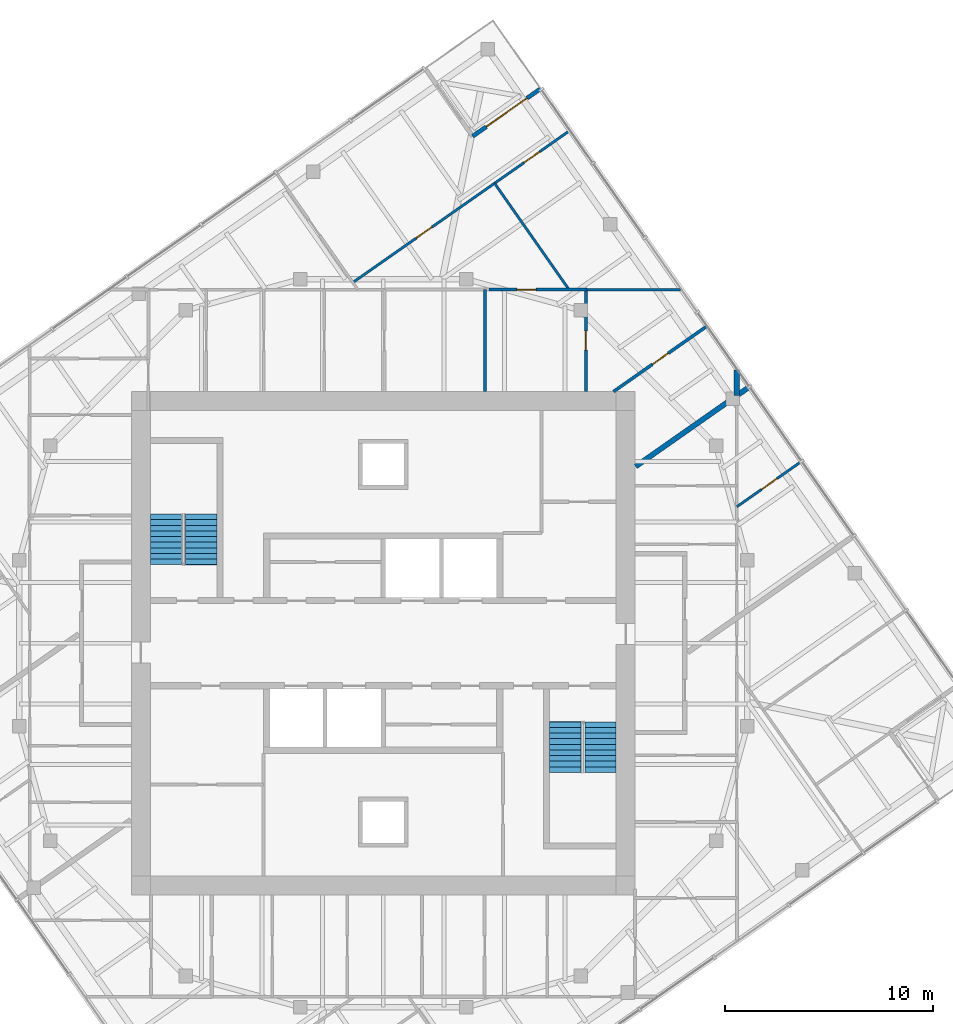
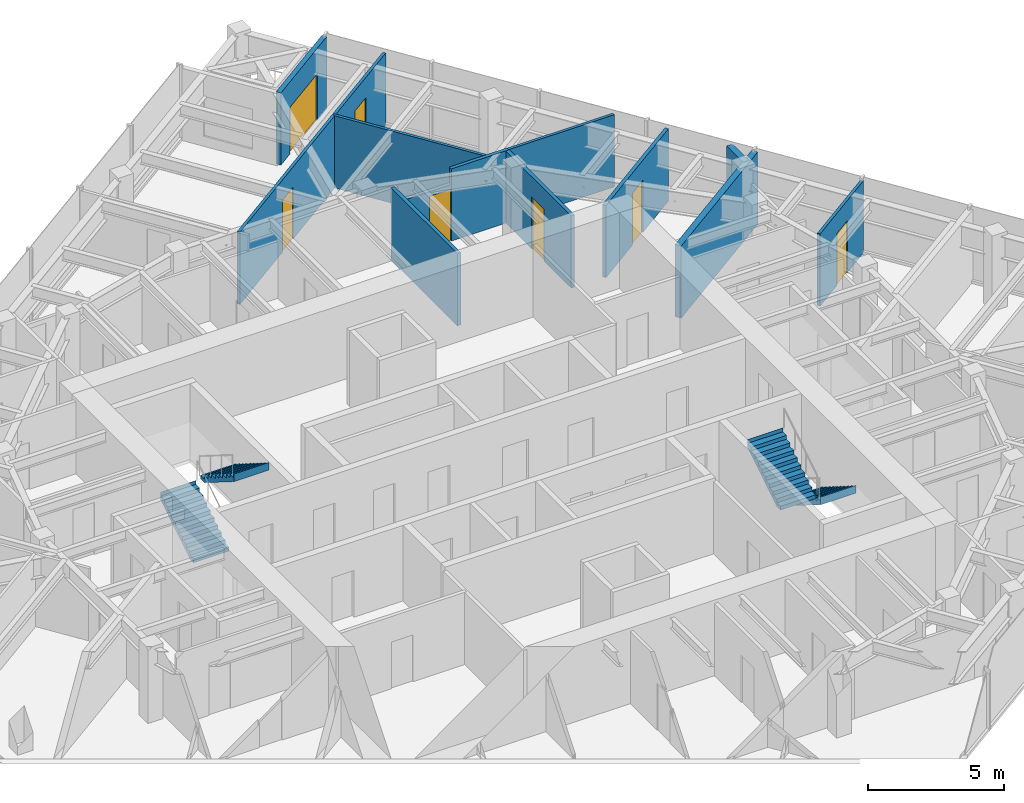
# One storey, part 11 of 12: 12 walls, 7 doors, 4 stair flights, 7 openings, 2 elements without a shape of their own.
"""IFC4 building model written with IfcOpenShell, lengths in metres."""

from ifc_helpers import new_model, si_unit, direction, frame, frame_2d, origin, place, context, subcontext, project, spatial, polyline, rectangle, outline, extrude, material, layer, layer_set, type_object, element, fill, aggregate, save


model = new_model("IFC4")

# Units and contexts
model_context = context("Model", 3, precision=1e-05, world=origin(), true_north=direction((0.0, 1.0)))
body_context = subcontext(model_context, "Body", "Model", "MODEL_VIEW")
ifc_project = project(units=[si_unit("LENGTHUNIT", "METRE"), si_unit("AREAUNIT", "SQUARE_METRE"), si_unit("VOLUMEUNIT", "CUBIC_METRE"), si_unit("PLANEANGLEUNIT", "RADIAN"), si_unit("MASSUNIT", "GRAM", prefix="KILO")], contexts=[model_context])

# Site, building, storey
site_placement = place(None, origin())
site = spatial("IfcSite", under=ifc_project, at=site_placement, CompositionType="ELEMENT")
building_placement = place(site_placement, origin())
building = spatial("IfcBuilding", under=site, at=building_placement, Name="Torsade Residences", CompositionType="ELEMENT")
storey_placement = place(building_placement, frame((0.0, 0.0, 240.39990234375)))
storey = spatial("IfcBuildingStorey", under=building, at=storey_placement, Name="L66", CompositionType="ELEMENT", Elevation=240.39990234375)

# Wall, opening, door
ifc_material_1 = material(Name="Plasterboard on steel stud", Category="steel")
ifc_layer_1 = layer(ifc_material_1, 0.1201171875)
ifc_layer_set_1 = layer_set([ifc_layer_1], Name="Plasterboard on steel stud")
wall_type_1 = type_object("IfcWallType", Name="PARTITION 120", PredefinedType="PARTITIONING", material=ifc_layer_set_1)
wall_1_placement = place(storey_placement, frame((57.0, 36.5625, 0.0), z_axis=(0.0, 0.0, 1.0), x_axis=(0.819140645834, 0.573592714688, 0.0)))
wall_1 = element("IfcWall", 1, at=wall_1_placement, inside=storey, type_object=wall_type_1, Name="Partition L66", PredefinedType="PARTITIONING", context=body_context, shape_type="SweptSolid", body=[
    extrude(rectangle(XDim=3.770263671875, YDim=0.1201171875, at=frame_2d((1.88525390625, 0.0))), origin(), (0.0, 0.0, 1.0), 3.25),
])
opening_1_placement = place(wall_1_placement, frame((1.445068359375, 0.0, 0.0)))
opening_1 = element("IfcOpeningElement", 2, at=opening_1_placement, cuts=wall_1, Name="Opening D02", PredefinedType="OPENING", context=body_context, shape_type="SweptSolid", body=[
    extrude(rectangle(XDim=0.919921875, YDim=2.340087890625, at=frame_2d((0.4599609375, 1.169921875))), frame((0.0, 0.070068359375, 0.0), z_axis=(0.0, -1.0, 0.0), x_axis=(1.0, 0.0, 0.0)), (0.0, 0.0, 1.0), 0.14013671875),
])
ifc_material_2 = material(Name="Hollow-core timber door", Category="wood")
door_type_1 = type_object("IfcDoorType", Name="INTERNAL DOOR 920x2340", OperationType="NOTDEFINED", PredefinedType="DOOR", material=ifc_material_2)
door_1_placement = place(opening_1_placement, origin())
door_1 = element("IfcDoor", 3, at=door_1_placement, inside=storey, type_object=door_type_1, Name="Door Living room to Bedroom 1", OperationType="SINGLE_SWING_LEFT", OverallHeight=2.340087890625, OverallWidth=0.919921875, PredefinedType="DOOR", context=body_context, shape_type="SweptSolid", body=[
    extrude(rectangle(XDim=0.919921875, YDim=2.340087890625, at=frame_2d((0.4599609375, 1.169921875))), frame((0.0, 0.02490234375, 0.0), z_axis=(0.0, -1.0, 0.0), x_axis=(1.0, 0.0, 0.0)), (0.0, 0.0, 1.0), 0.050048828125),
])
fill(opening_1, door_1)

# Wall
wall_2_placement = place(storey_placement, frame((49.7919921875, 47.0, 0.0), z_axis=(0.0, 0.0, 1.0), x_axis=(1.0, 0.0, 0.0)))
element("IfcWall", 4, at=wall_2_placement, inside=storey, type_object=wall_type_1, Name="Partition L66", PredefinedType="PARTITIONING", context=body_context, shape_type="SweptSolid", body=[
    extrude(rectangle(XDim=4.502197265625, YDim=0.1201171875, at=frame_2d((2.2509765625, 0.0))), origin(), (0.0, 0.0, 1.0), 3.25),
])

# Wall, openings, doors
wall_3_placement = place(storey_placement, frame((48.949462890625, 54.63330078125, 0.0), z_axis=(0.0, 0.0, 1.0), x_axis=(-0.819155207289, -0.573571919092, 0.0)))
wall_3 = element("IfcWall", 5, at=wall_3_placement, inside=storey, type_object=wall_type_1, Name="Partition L66", PredefinedType="PARTITIONING", context=body_context, shape_type="SweptSolid", body=[
    extrude(rectangle(XDim=12.7099609375, YDim=0.1201171875, at=frame_2d((6.35498046875, 0.0))), origin(), (0.0, 0.0, 1.0), 3.25),
])
opening_2_placement = place(wall_3_placement, frame((8.066162109375, 0.0, 0.0)))
opening_2 = element("IfcOpeningElement", 6, at=opening_2_placement, cuts=wall_3, Name="Opening D02", PredefinedType="OPENING", context=body_context, shape_type="SweptSolid", body=[
    extrude(rectangle(XDim=0.919921875, YDim=2.340087890625, at=frame_2d((0.4599609375, 1.169921875))), frame((0.0, 0.070068359375, 0.0), z_axis=(0.0, -1.0, 0.0), x_axis=(1.0, 0.0, 0.0)), (0.0, 0.0, 1.0), 0.14013671875),
])
opening_3_placement = place(wall_3_placement, frame((1.7412109375, 0.0, 0.0)))
opening_3 = element("IfcOpeningElement", 7, at=opening_3_placement, cuts=wall_3, Name="Opening D02", PredefinedType="OPENING", context=body_context, shape_type="SweptSolid", body=[
    extrude(rectangle(XDim=0.919921875, YDim=2.340087890625, at=frame_2d((0.4599609375, 1.169921875))), frame((0.0, 0.070068359375, 0.0), z_axis=(0.0, -1.0, 0.0), x_axis=(1.0, 0.0, 0.0)), (0.0, 0.0, 1.0), 0.14013671875),
])
door_2_placement = place(opening_2_placement, origin())
door_2 = element("IfcDoor", 8, at=door_2_placement, inside=storey, type_object=door_type_1, Name="Door Living room to Walk-in robe", OperationType="SINGLE_SWING_LEFT", OverallHeight=2.340087890625, OverallWidth=0.919921875, PredefinedType="DOOR", context=body_context, shape_type="SweptSolid", body=[
    extrude(rectangle(XDim=0.919921875, YDim=2.340087890625, at=frame_2d((0.4599609375, 1.169921875))), frame((0.0, 0.02490234375, 0.0), z_axis=(0.0, -1.0, 0.0), x_axis=(1.0, 0.0, 0.0)), (0.0, 0.0, 1.0), 0.050048828125),
])
fill(opening_2, door_2)
door_3_placement = place(opening_3_placement, origin())
door_3 = element("IfcDoor", 9, at=door_3_placement, inside=storey, type_object=door_type_1, Name="Door Living room to Bedroom 4", OperationType="SINGLE_SWING_RIGHT", OverallHeight=2.340087890625, OverallWidth=0.919921875, PredefinedType="DOOR", context=body_context, shape_type="SweptSolid", body=[
    extrude(rectangle(XDim=0.919921875, YDim=2.340087890625, at=frame_2d((0.4599609375, 1.169921875))), frame((0.0, 0.02490234375, 0.0), z_axis=(0.0, -1.0, 0.0), x_axis=(1.0, 0.0, 0.0)), (0.0, 0.0, 1.0), 0.050048828125),
])
fill(opening_3, door_3)

# Walls
wall_4_placement = place(storey_placement, frame((48.932373046875, 47.0, 0.0), z_axis=(0.0, 0.0, 1.0), x_axis=(-0.573569946952, 0.819156588177, 0.0)))
element("IfcWall", 10, at=wall_4_placement, inside=storey, type_object=wall_type_1, Name="Partition L66", PredefinedType="PARTITIONING", context=body_context, shape_type="SweptSolid", body=[
    extrude(rectangle(XDim=6.242919921875, YDim=0.1201171875, at=frame_2d((3.12158203125, 0.0))), origin(), (0.0, 0.0, 1.0), 3.25),
])
ifc_material_3 = material(Name="Masonry-lined stud party wall", Category="masonry")
ifc_layer_2 = layer(ifc_material_3, 0.25)
ifc_layer_set_2 = layer_set([ifc_layer_2], Name="Masonry-lined stud party wall")
wall_type_2 = type_object("IfcWallType", Name="PARTY WALL 250", PredefinedType="PARTITIONING", material=ifc_layer_set_2)
wall_5_placement = place(storey_placement, frame((57.61181640625, 42.331787109375, 0.0), z_axis=(0.0, 0.0, 1.0), x_axis=(-0.819161528122, -0.573562891796, 0.0)))
element("IfcWall", 11, at=wall_5_placement, inside=storey, type_object=wall_type_2, Name="Party wall L66", PredefinedType="PARTITIONING", context=body_context, shape_type="SweptSolid", body=[
    extrude(rectangle(XDim=6.68115234375, YDim=0.25, at=frame_2d((3.340576171875, 0.0))), origin(), (0.0, 0.0, 1.0), 3.25),
])
wall_6_placement = place(storey_placement, frame((57.0, 41.919189453125, 0.0), z_axis=(0.0, 0.0, 1.0), x_axis=(0.0, 1.0, 0.0)))
element("IfcWall", 12, at=wall_6_placement, inside=storey, type_object=wall_type_2, Name="Party wall L66", PredefinedType="PARTITIONING", context=body_context, shape_type="SweptSolid", body=[
    extrude(rectangle(XDim=1.216552734375, YDim=0.25, at=frame_2d((0.6083984375, 0.0))), origin(), (0.0, 0.0, 1.0), 3.25),
])

# Wall, opening, door
ifc_material_4 = material(Name="Reinforced blockwork", Category="masonry")
ifc_layer_3 = layer(ifc_material_4, 0.14990234375)
ifc_layer_set_3 = layer_set([ifc_layer_3], Name="Reinforced blockwork")
wall_type_3 = type_object("IfcWallType", Name="SERVICE ROOM WALL 150", PredefinedType="SOLIDWALL", material=ifc_layer_set_3)
wall_7_placement = place(storey_placement, frame((45.083251953125, 47.0, 0.0), z_axis=(0.0, 0.0, 1.0), x_axis=(1.0, 0.0, 0.0)))
wall_7 = element("IfcWall", 13, at=wall_7_placement, inside=storey, type_object=wall_type_3, Name="Service room wall L66", PredefinedType="SOLIDWALL", context=body_context, shape_type="SweptSolid", body=[
    extrude(rectangle(XDim=2.266845703125, YDim=0.14990234375, at=frame_2d((1.13330078125, 0.0))), origin(), (0.0, 0.0, 1.0), 2.550048828125),
])
opening_4_placement = place(wall_7_placement, frame((1.346923828125, 0.0, 0.0)))
opening_4 = element("IfcOpeningElement", 14, at=opening_4_placement, cuts=wall_7, Name="Opening D02", PredefinedType="OPENING", context=body_context, shape_type="SweptSolid", body=[
    extrude(rectangle(XDim=0.919921875, YDim=2.340087890625, at=frame_2d((0.4599609375, 1.169921875))), frame((0.0, 0.0849609375, 0.0), z_axis=(0.0, -1.0, 0.0), x_axis=(1.0, 0.0, 0.0)), (0.0, 0.0, 1.0), 0.169921875),
])
door_4_placement = place(opening_4_placement, origin())
door_4 = element("IfcDoor", 15, at=door_4_placement, inside=storey, type_object=door_type_1, Name="Door Walk-in robe to Linen store 5", OperationType="SINGLE_SWING_RIGHT", OverallHeight=2.340087890625, OverallWidth=0.919921875, PredefinedType="DOOR", context=body_context, shape_type="SweptSolid", body=[
    extrude(rectangle(XDim=0.919921875, YDim=2.340087890625, at=frame_2d((0.4599609375, 1.169921875))), frame((0.0, 0.02490234375, 0.0), z_axis=(0.0, -1.0, 0.0), x_axis=(1.0, 0.0, 0.0)), (0.0, 0.0, 1.0), 0.050048828125),
])
fill(opening_4, door_4)

# Walls
wall_8_placement = place(storey_placement, frame((47.35009765625, 47.0, 0.0), z_axis=(0.0, 0.0, 1.0), x_axis=(1.0, 0.0, 0.0)))
element("IfcWall", 16, at=wall_8_placement, inside=storey, type_object=wall_type_3, Name="Service room wall L66", PredefinedType="SOLIDWALL", context=body_context, shape_type="SweptSolid", body=[
    extrude(rectangle(XDim=2.44189453125, YDim=0.14990234375, at=frame_2d((1.220947265625, 0.0))), origin(), (0.0, 0.0, 1.0), 3.25),
])
wall_9_placement = place(storey_placement, frame((44.898193359375, 47.0, 0.0), z_axis=(0.0, 0.0, 1.0), x_axis=(0.0, -1.0, 0.0)))
element("IfcWall", 17, at=wall_9_placement, inside=storey, type_object=wall_type_3, Name="Service room wall L66", PredefinedType="SOLIDWALL", context=body_context, shape_type="SweptSolid", body=[
    extrude(rectangle(XDim=4.89990234375, YDim=0.14990234375, at=frame_2d((2.449951171875, 0.0))), origin(), (0.0, 0.0, 1.0), 3.25),
])

# Wall, opening, door
wall_10_placement = place(storey_placement, frame((55.53662109375, 45.225830078125, 0.0), z_axis=(0.0, 0.0, 1.0), x_axis=(-0.819158250207, -0.573567573279, 0.0)))
wall_10 = element("IfcWall", 18, at=wall_10_placement, inside=storey, type_object=wall_type_3, Name="Service room wall L66", PredefinedType="SOLIDWALL", context=body_context, shape_type="SweptSolid", body=[
    extrude(rectangle(XDim=5.44970703125, YDim=0.14990234375, at=frame_2d((2.724853515625, 0.0))), origin(), (0.0, 0.0, 1.0), 3.25),
])
opening_5_placement = place(wall_10_placement, frame((2.244873046875, 0.0, 0.0)))
opening_5 = element("IfcOpeningElement", 19, at=opening_5_placement, cuts=wall_10, Name="Opening D02", PredefinedType="OPENING", context=body_context, shape_type="SweptSolid", body=[
    extrude(rectangle(XDim=0.919921875, YDim=2.340087890625, at=frame_2d((0.4599609375, 1.169921875))), frame((0.0, 0.0849609375, 0.0), z_axis=(0.0, -1.0, 0.0), x_axis=(1.0, 0.0, 0.0)), (0.0, 0.0, 1.0), 0.169921875),
])
door_5_placement = place(opening_5_placement, origin())
door_5 = element("IfcDoor", 20, at=door_5_placement, inside=storey, type_object=door_type_1, Name="Door Study to Linen store 3", OperationType="SINGLE_SWING_RIGHT", OverallHeight=2.340087890625, OverallWidth=0.919921875, PredefinedType="DOOR", context=body_context, shape_type="SweptSolid", body=[
    extrude(rectangle(XDim=0.919921875, YDim=2.340087890625, at=frame_2d((0.4599609375, 1.169921875))), frame((0.0, 0.02490234375, 0.0), z_axis=(0.0, -1.0, 0.0), x_axis=(1.0, 0.0, 0.0)), (0.0, 0.0, 1.0), 0.050048828125),
])
fill(opening_5, door_5)

wall_11_placement = place(storey_placement, frame((49.7421875, 42.10009765625, 0.0), z_axis=(0.0, 0.0, 1.0), x_axis=(0.0, 1.0, 0.0)))
wall_11 = element("IfcWall", 21, at=wall_11_placement, inside=storey, type_object=wall_type_3, Name="Service room wall L66", PredefinedType="SOLIDWALL", context=body_context, shape_type="SweptSolid", body=[
    extrude(rectangle(XDim=4.89990234375, YDim=0.14990234375, at=frame_2d((2.449951171875, 0.0))), origin(), (0.0, 0.0, 1.0), 3.25),
])
opening_6_placement = place(wall_11_placement, frame((1.989990234375, 0.0, 0.0)))
opening_6 = element("IfcOpeningElement", 22, at=opening_6_placement, cuts=wall_11, Name="Opening D02", PredefinedType="OPENING", context=body_context, shape_type="SweptSolid", body=[
    extrude(rectangle(XDim=0.919921875, YDim=2.340087890625, at=frame_2d((0.4599609375, 1.169921875))), frame((0.0, 0.0849609375, 0.0), z_axis=(0.0, -1.0, 0.0), x_axis=(1.0, 0.0, 0.0)), (0.0, 0.0, 1.0), 0.169921875),
])
door_6_placement = place(opening_6_placement, origin())
door_6 = element("IfcDoor", 23, at=door_6_placement, inside=storey, type_object=door_type_1, Name="Door Linen store 5 to Study", OperationType="SINGLE_SWING_RIGHT", OverallHeight=2.340087890625, OverallWidth=0.919921875, PredefinedType="DOOR", context=body_context, shape_type="SweptSolid", body=[
    extrude(rectangle(XDim=0.919921875, YDim=2.340087890625, at=frame_2d((0.4599609375, 1.169921875))), frame((0.0, 0.02490234375, 0.0), z_axis=(0.0, -1.0, 0.0), x_axis=(1.0, 0.0, 0.0)), (0.0, 0.0, 1.0), 0.050048828125),
])
fill(opening_6, door_6)

ifc_material_5 = material(Name="Stone-faced precast concrete 40 MPa panel", Category="masonry")
ifc_layer_4 = layer(ifc_material_5, 0.199951171875)
ifc_layer_set_4 = layer_set([ifc_layer_4], Name="Stone-faced precast concrete 40 MPa panel")
wall_type_4 = type_object("IfcWallType", Name="TERRACE WALL 200", PredefinedType="SOLIDWALL", material=ifc_layer_set_4)
wall_12_placement = place(storey_placement, frame((47.57421875, 56.6669921875, 0.0), z_axis=(0.0, 0.0, 1.0), x_axis=(-0.819165963305, -0.573556557423, 0.0)))
wall_12 = element("IfcWall", 24, at=wall_12_placement, inside=storey, type_object=wall_type_4, Name="Terrace wall L66 5", PredefinedType="SOLIDWALL", context=body_context, shape_type="SweptSolid", body=[
    extrude(rectangle(XDim=4.0, YDim=0.199951171875, at=frame_2d((2.0, 0.0))), origin(), (0.0, 0.0, 1.0), 3.25),
])
opening_7_placement = place(wall_12_placement, frame((0.800048828125, 0.0, 0.0)))
opening_7 = element("IfcOpeningElement", 25, at=opening_7_placement, cuts=wall_12, Name="Opening D10A", PredefinedType="OPENING", context=body_context, shape_type="SweptSolid", body=[
    extrude(rectangle(XDim=2.39990234375, YDim=2.10009765625, at=frame_2d((1.199951171875, 1.050048828125))), frame((0.0, 0.10986328125, 0.0), z_axis=(0.0, -1.0, 0.0), x_axis=(1.0, 0.0, 0.0)), (0.0, 0.0, 1.0), 0.219970703125),
])
ifc_material_6 = material(Name="Aluminium-framed glass door", Category="aluminium")
door_type_2 = type_object("IfcDoorType", Name="TERRACE SLIDING DOOR 2400x2100", OperationType="SLIDING_TO_LEFT", PredefinedType="DOOR", material=ifc_material_6)
door_7_placement = place(opening_7_placement, origin())
door_7 = element("IfcDoor", 26, at=door_7_placement, inside=storey, type_object=door_type_2, Name="Terrace door L66 5", OperationType="SLIDING_TO_LEFT", OverallHeight=2.10009765625, OverallWidth=2.39990234375, PredefinedType="DOOR", context=body_context, shape_type="SweptSolid", body=[
    extrude(rectangle(XDim=2.39990234375, YDim=2.10009765625, at=frame_2d((1.199951171875, 1.050048828125))), frame((0.0, 0.02490234375, 0.0), z_axis=(0.0, -1.0, 0.0), x_axis=(1.0, 0.0, 0.0)), (0.0, 0.0, 1.0), 0.050048828125),
])
fill(opening_7, door_7)

# Stair, stair flights
ifc_material_7 = material(Name="Precast concrete 40 MPa", Category="concrete")
stair_type = type_object("IfcStairType", Name="HALF-TURN FIRE STAIR 1500x3400", PredefinedType="HALF_TURN_STAIR", material=ifc_material_7)
stair_1_placement = place(storey_placement, origin())
stair_1 = element("IfcStair", 27, at=stair_1_placement, inside=storey, type_object=stair_type, Name="Stair ST1 L66", PredefinedType="HALF_TURN_STAIR")
ifc_material_8 = material(Name="Precast concrete 40 MPa", Category="concrete")
stair_flight_type = type_object("IfcStairFlightType", Name="PRECAST STAIR FLIGHT 1500x1700", PredefinedType="STRAIGHT", material=ifc_material_8)
stair_flight_1_placement = place(storey_placement, frame((29.550048828125, 33.780029296875, 0.0), z_axis=(0.0, 0.0, 1.0), x_axis=(0.0, 1.0, 0.0)))
stair_flight_1 = element("IfcStairFlight", 28, at=stair_flight_1_placement, type_object=stair_flight_type, Name="ST1 flight 1", NumberOfRisers=10, NumberOfTreads=9, PredefinedType="STRAIGHT", RiserHeight=0.17, TreadLength=0.27, context=body_context, shape_type="SweptSolid", body=[
    extrude(outline(polyline([(0.0, 0.0), (0.0, 0.169921875), (0.27001953125, 0.169921875), (0.27001953125, 0.340087890625), (0.5400390625, 0.340087890625), (0.5400390625, 0.510009765625), (0.81005859375, 0.510009765625), (0.81005859375, 0.679931640625), (1.080078125, 0.679931640625), (1.080078125, 0.85009765625), (1.35009765625, 0.85009765625), (1.35009765625, 1.02001953125), (1.6201171875, 1.02001953125), (1.6201171875, 1.18994140625), (1.889892578125, 1.18994140625), (1.889892578125, 1.360107421875), (2.159912109375, 1.360107421875), (2.159912109375, 1.530029296875), (2.429931640625, 1.530029296875), (2.429931640625, 1.699951171875), (2.43994140625, 1.699951171875), (2.43994140625, 1.352783203125), (2.429931640625, 1.352783203125), (0.28125, 0.0), (0.0, 0.0)])), frame((0.0, 0.75, 0.0), z_axis=(0.0, -1.0, 0.0), x_axis=(1.0, 0.0, 0.0)), (0.0, 0.0, 1.0), 1.5),
])
stair_flight_2_placement = place(storey_placement, frame((31.25, 36.2099609375, 1.7001953125), z_axis=(0.0, 0.0, 1.0), x_axis=(0.0, -1.0, 0.0)))
stair_flight_2 = element("IfcStairFlight", 29, at=stair_flight_2_placement, type_object=stair_flight_type, Name="ST1 flight 2", NumberOfRisers=10, NumberOfTreads=9, PredefinedType="STRAIGHT", RiserHeight=0.17, TreadLength=0.27, context=body_context, shape_type="SweptSolid", body=[
    extrude(outline(polyline([(0.0, 0.0), (0.0, 0.169921875), (0.27001953125, 0.169921875), (0.27001953125, 0.340087890625), (0.5400390625, 0.340087890625), (0.5400390625, 0.510009765625), (0.81005859375, 0.510009765625), (0.81005859375, 0.679931640625), (1.080078125, 0.679931640625), (1.080078125, 0.85009765625), (1.35009765625, 0.85009765625), (1.35009765625, 1.02001953125), (1.6201171875, 1.02001953125), (1.6201171875, 1.18994140625), (1.889892578125, 1.18994140625), (1.889892578125, 1.360107421875), (2.159912109375, 1.360107421875), (2.159912109375, 1.530029296875), (2.429931640625, 1.530029296875), (2.429931640625, 1.699951171875), (2.43994140625, 1.699951171875), (2.43994140625, 1.352783203125), (2.429931640625, 1.352783203125), (0.28125, 0.0), (0.0, 0.0)])), frame((0.0, 0.75, 0.0), z_axis=(0.0, -1.0, 0.0), x_axis=(1.0, 0.0, 0.0)), (0.0, 0.0, 1.0), 1.5),
])
aggregate(stair_1, [stair_flight_1, stair_flight_2])

stair_2_placement = place(storey_placement, origin())
stair_2 = element("IfcStair", 30, at=stair_2_placement, inside=storey, type_object=stair_type, Name="Stair ST2 L66", PredefinedType="HALF_TURN_STAIR")
stair_flight_3_placement = place(storey_placement, frame((50.449951171875, 26.219970703125, 0.0), z_axis=(0.0, 0.0, 1.0), x_axis=(0.0, -1.0, 0.0)))
stair_flight_3 = element("IfcStairFlight", 31, at=stair_flight_3_placement, type_object=stair_flight_type, Name="ST2 flight 1", NumberOfRisers=10, NumberOfTreads=9, PredefinedType="STRAIGHT", RiserHeight=0.17, TreadLength=0.27, context=body_context, shape_type="SweptSolid", body=[
    extrude(outline(polyline([(0.0, 0.0), (0.0, 0.169921875), (0.27001953125, 0.169921875), (0.27001953125, 0.340087890625), (0.5400390625, 0.340087890625), (0.5400390625, 0.510009765625), (0.81005859375, 0.510009765625), (0.81005859375, 0.679931640625), (1.080078125, 0.679931640625), (1.080078125, 0.85009765625), (1.35009765625, 0.85009765625), (1.35009765625, 1.02001953125), (1.6201171875, 1.02001953125), (1.6201171875, 1.18994140625), (1.889892578125, 1.18994140625), (1.889892578125, 1.360107421875), (2.159912109375, 1.360107421875), (2.159912109375, 1.530029296875), (2.429931640625, 1.530029296875), (2.429931640625, 1.699951171875), (2.43994140625, 1.699951171875), (2.43994140625, 1.352783203125), (2.429931640625, 1.352783203125), (0.28125, 0.0), (0.0, 0.0)])), frame((0.0, 0.75, 0.0), z_axis=(0.0, -1.0, 0.0), x_axis=(1.0, 0.0, 0.0)), (0.0, 0.0, 1.0), 1.5),
])
stair_flight_4_placement = place(storey_placement, frame((48.75, 23.7900390625, 1.7001953125), z_axis=(0.0, 0.0, 1.0), x_axis=(0.0, 1.0, 0.0)))
stair_flight_4 = element("IfcStairFlight", 32, at=stair_flight_4_placement, type_object=stair_flight_type, Name="ST2 flight 2", NumberOfRisers=10, NumberOfTreads=9, PredefinedType="STRAIGHT", RiserHeight=0.17, TreadLength=0.27, context=body_context, shape_type="SweptSolid", body=[
    extrude(outline(polyline([(0.0, 0.0), (0.0, 0.169921875), (0.27001953125, 0.169921875), (0.27001953125, 0.340087890625), (0.5400390625, 0.340087890625), (0.5400390625, 0.510009765625), (0.81005859375, 0.510009765625), (0.81005859375, 0.679931640625), (1.080078125, 0.679931640625), (1.080078125, 0.85009765625), (1.35009765625, 0.85009765625), (1.35009765625, 1.02001953125), (1.6201171875, 1.02001953125), (1.6201171875, 1.18994140625), (1.889892578125, 1.18994140625), (1.889892578125, 1.360107421875), (2.159912109375, 1.360107421875), (2.159912109375, 1.530029296875), (2.429931640625, 1.530029296875), (2.429931640625, 1.699951171875), (2.43994140625, 1.699951171875), (2.43994140625, 1.352783203125), (2.429931640625, 1.352783203125), (0.28125, 0.0), (0.0, 0.0)])), frame((0.0, 0.75, 0.0), z_axis=(0.0, -1.0, 0.0), x_axis=(1.0, 0.0, 0.0)), (0.0, 0.0, 1.0), 1.5),
])
aggregate(stair_2, [stair_flight_3, stair_flight_4])

save(model, "model.ifc")
